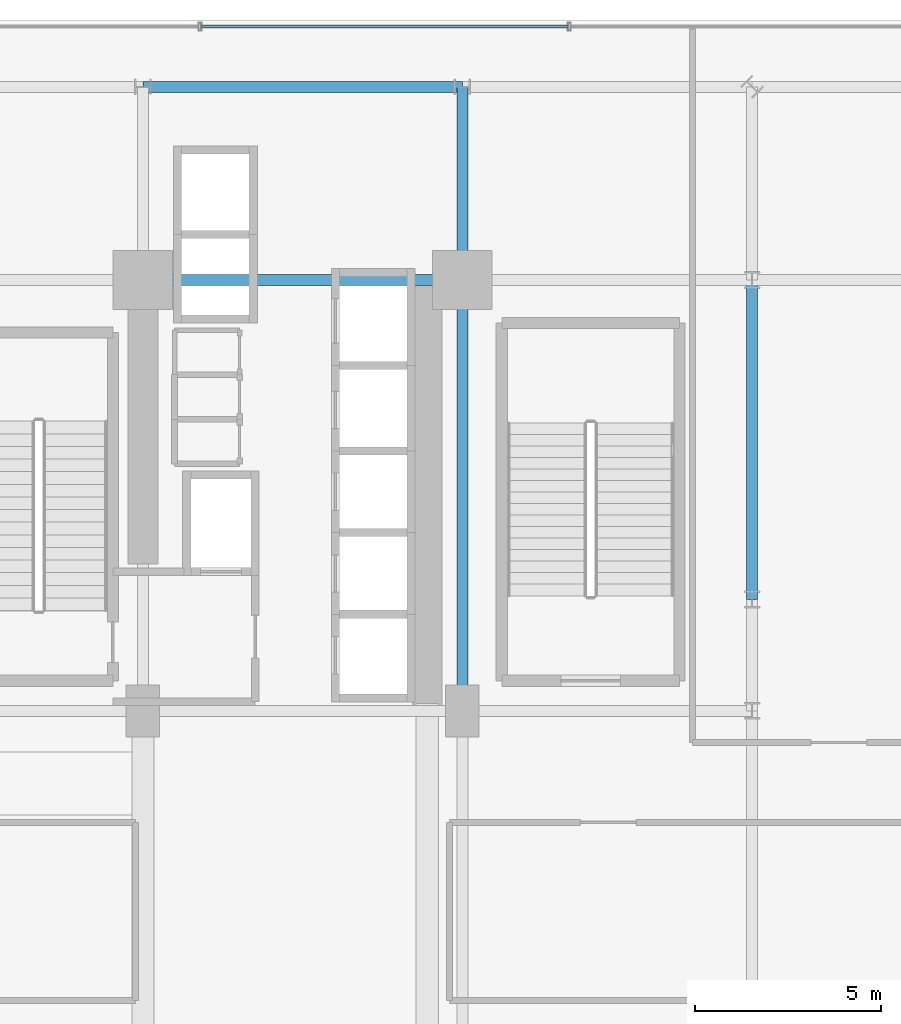
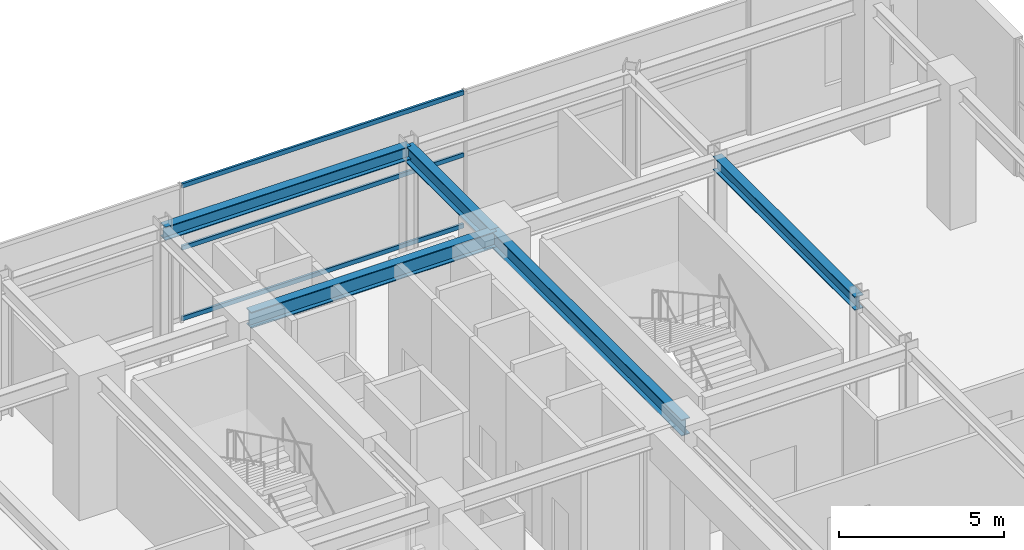
# One storey, part 19 of 34: 5 beams, 3 members, 1 element without a shape of its own.
"""IFC4 building model written with IfcOpenShell, lengths in metres."""

from ifc_helpers import new_model, si_unit, direction, frame, origin, origin_2d, place, context, subcontext, project, spatial, hollow_rectangle, i_section, extrude, source, transform, mapped, material, material_profile, profile_set, type_object, element, aggregate, save


model = new_model("IFC4")

# Units and contexts
model_context = context("Model", 3, precision=1e-05, world=origin(), true_north=direction((0.0, 1.0)))
body_context = subcontext(model_context, "Body", "Model", "MODEL_VIEW")
ifc_project = project(units=[si_unit("LENGTHUNIT", "METRE"), si_unit("AREAUNIT", "SQUARE_METRE"), si_unit("VOLUMEUNIT", "CUBIC_METRE"), si_unit("PLANEANGLEUNIT", "RADIAN"), si_unit("MASSUNIT", "GRAM", prefix="KILO")], contexts=[model_context])

# Site, building, storey
site_placement = place(None, origin())
site = spatial("IfcSite", under=ifc_project, at=site_placement, CompositionType="ELEMENT")
building_placement = place(site_placement, origin())
building = spatial("IfcBuilding", under=site, at=building_placement, Name="Nahalor Promenade Grand Hotel", CompositionType="ELEMENT")
storey_placement = place(building_placement, frame((0.0, 0.0, 16.199951171875)))
storey = spatial("IfcBuildingStorey", under=building, at=storey_placement, Name="L03", CompositionType="ELEMENT", Elevation=16.199951171875)

# Beams
ifc_material_1 = material(Name="Steel S355JR", Category="steel")
ifc_material_profile_1 = material_profile(ifc_material_1, i_section(OverallWidth=0.3, OverallDepth=0.6, WebThickness=0.0155, FlangeThickness=0.03, at=origin_2d()), Name="HEB 600")
ifc_profile_set_1 = profile_set([ifc_material_profile_1], Name="Steel S355JR")
beam_type_1 = type_object("IfcBeamType", Name="Beam-Girder-HEB600", PredefinedType="BEAM", material=ifc_profile_set_1)
shared_shape_1 = source(origin(), body_context, "Body", "SweptSolid", [
    extrude(i_section(OverallWidth=0.3, OverallDepth=0.6, WebThickness=0.0155, FlangeThickness=0.03, at=origin_2d()), origin(), (0.0, 0.0, 1.0), 8.60009765625),
])
beam_1_placement = place(storey_placement, frame((8.39990234375, 17.0, 4.780029296875), z_axis=(1.0, 0.0, 0.0), x_axis=(0.0, 1.0, 0.0)))
element("IfcBeam", 1, at=beam_1_placement, inside=storey, type_object=beam_type_1, Name="BM-L03-GX-3-6", PredefinedType="BEAM", context=body_context, shape_type="MappedRepresentation", body=[
    mapped(shared_shape_1, transform((0.0, 0.0, 0.0), scale=1.0)),
])
shared_shape_2 = source(origin(), body_context, "Body", "SweptSolid", [
    extrude(i_section(OverallWidth=0.3, OverallDepth=0.6, WebThickness=0.0155, FlangeThickness=0.03, at=origin_2d()), origin(), (0.0, 0.0, 1.0), 5.199951171875),
])
beam_2_placement = place(storey_placement, frame((17.0, 17.0, 4.780029296875), z_axis=(0.0, 1.0, 0.0), x_axis=(-1.0, 0.0, 0.0)))
element("IfcBeam", 2, at=beam_2_placement, inside=storey, type_object=beam_type_1, Name="BM-L03-GY-5-4", PredefinedType="BEAM", context=body_context, shape_type="MappedRepresentation", body=[
    mapped(shared_shape_2, transform((0.0, 0.0, 0.0), scale=1.0)),
])
shared_shape_3 = source(origin(), body_context, "Body", "SweptSolid", [
    extrude(i_section(OverallWidth=0.3, OverallDepth=0.6, WebThickness=0.0155, FlangeThickness=0.03, at=origin_2d()), origin(), (0.0, 0.0, 1.0), 11.60009765625),
])
beam_3_placement = place(storey_placement, frame((17.0, 5.39990234375, 4.780029296875), z_axis=(0.0, 1.0, 0.0), x_axis=(-1.0, 0.0, 0.0)))
element("IfcBeam", 3, at=beam_3_placement, inside=storey, type_object=beam_type_1, Name="BM-L03-GY-5-3", PredefinedType="BEAM", context=body_context, shape_type="MappedRepresentation", body=[
    mapped(shared_shape_3, transform((0.0, 0.0, 0.0), scale=1.0)),
])
ifc_material_profile_2 = material_profile(ifc_material_1, i_section(OverallWidth=0.3, OverallDepth=0.5, WebThickness=0.0145, FlangeThickness=0.028, at=origin_2d()), Name="HEB 500")
ifc_profile_set_2 = profile_set([ifc_material_profile_2], Name="Steel S355JR")
beam_type_2 = type_object("IfcBeamType", Name="Beam-Spandrel-HEB500", PredefinedType="SPANDREL", material=ifc_profile_set_2)
shared_shape_4 = source(origin(), body_context, "Body", "SweptSolid", [
    extrude(i_section(OverallWidth=0.3, OverallDepth=0.5, WebThickness=0.0145, FlangeThickness=0.028, at=origin_2d()), origin(), (0.0, 0.0, 1.0), 8.60009765625),
])
for number, where, z_axis, x_axis, name in (
    (4, (8.39990234375, 22.199951171875, 4.830078125), (1.0, 0.0, 0.0), (0.0, 1.0, 0.0), "BM-L03-SP-N-4"),
    (5, (24.800048828125, 8.39990234375, 4.830078125), (0.0, 1.0, 0.0), (-1.0, 0.0, 0.0), "BM-L03-SP-E-4"),
):
    element("IfcBeam", number, at=place(storey_placement, frame(where, z_axis=z_axis, x_axis=x_axis)), inside=storey, type_object=beam_type_2, Name=name, PredefinedType="SPANDREL", context=body_context, shape_type="MappedRepresentation", body=[
        mapped(shared_shape_4, transform((0.0, 0.0, 0.0), scale=1.0)),
    ])

# Curtain wall, members
ifc_material_2 = material(Name="Anodised Bronze Aluminium EN AW-6063 T6", Category="aluminium")
curtain_wall_type = type_object("IfcCurtainWallType", Name="CW1 Waterfront Podium Bronze Arcade Curtain Wall", PredefinedType="USERDEFINED", material=ifc_material_2)
curtain_wall_placement = place(storey_placement, origin())
curtain_wall = element("IfcCurtainWall", 6, at=curtain_wall_placement, inside=storey, type_object=curtain_wall_type, Name="L03 Curtain Wall CW-L03-N", ObjectType="UNITISED_CURTAIN_WALL", PredefinedType="USERDEFINED")
ifc_material_profile_3 = material_profile(ifc_material_2, hollow_rectangle(XDim=0.08, YDim=0.16, WallThickness=0.004, at=origin_2d()), Name="CWT 80x160x4")
ifc_profile_set_3 = profile_set([ifc_material_profile_3], Name="Anodised Bronze Aluminium EN AW-6063 T6")
member_type = type_object("IfcMemberType", Name="CWT1 Podium Bronze Transom 80x160", PredefinedType="USERDEFINED", material=ifc_profile_set_3)
shared_shape_5 = source(origin(), body_context, "Body", "SweptSolid", [
    extrude(hollow_rectangle(XDim=0.08, YDim=0.16, WallThickness=0.004, at=origin_2d()), origin(), (0.0, 0.0, 1.0), 9.860107421875),
])
member_1_placement = place(storey_placement, frame((9.97998046875, 23.820068359375, 0.080078125), z_axis=(1.0, 0.0, 0.0), x_axis=(0.0, 1.0, 0.0)))
member_1 = element("IfcMember", 7, at=member_1_placement, type_object=member_type, Name="CW-L03-N Transom 4-0", ObjectType="TRANSOM", PredefinedType="USERDEFINED", context=body_context, shape_type="MappedRepresentation", body=[
    mapped(shared_shape_5, transform((0.0, 0.0, 0.0), scale=1.0)),
])
member_2_placement = place(storey_placement, frame((9.97998046875, 23.820068359375, 2.699951171875), z_axis=(1.0, 0.0, 0.0), x_axis=(0.0, 1.0, 0.0)))
member_2 = element("IfcMember", 8, at=member_2_placement, type_object=member_type, Name="CW-L03-N Transom 4-1", ObjectType="TRANSOM", PredefinedType="USERDEFINED", context=body_context, shape_type="MappedRepresentation", body=[
    mapped(shared_shape_5, transform((0.0, 0.0, 0.0), scale=1.0)),
])
member_3_placement = place(storey_placement, frame((9.97998046875, 23.820068359375, 5.0), z_axis=(1.0, 0.0, 0.0), x_axis=(0.0, 1.0, 0.0)))
member_3 = element("IfcMember", 9, at=member_3_placement, type_object=member_type, Name="CW-L03-N Transom 4-2", ObjectType="TRANSOM", PredefinedType="USERDEFINED", context=body_context, shape_type="MappedRepresentation", body=[
    mapped(shared_shape_5, transform((0.0, 0.0, 0.0), scale=1.0)),
])
aggregate(curtain_wall, [member_1, member_2, member_3])

save(model, "model.ifc")
